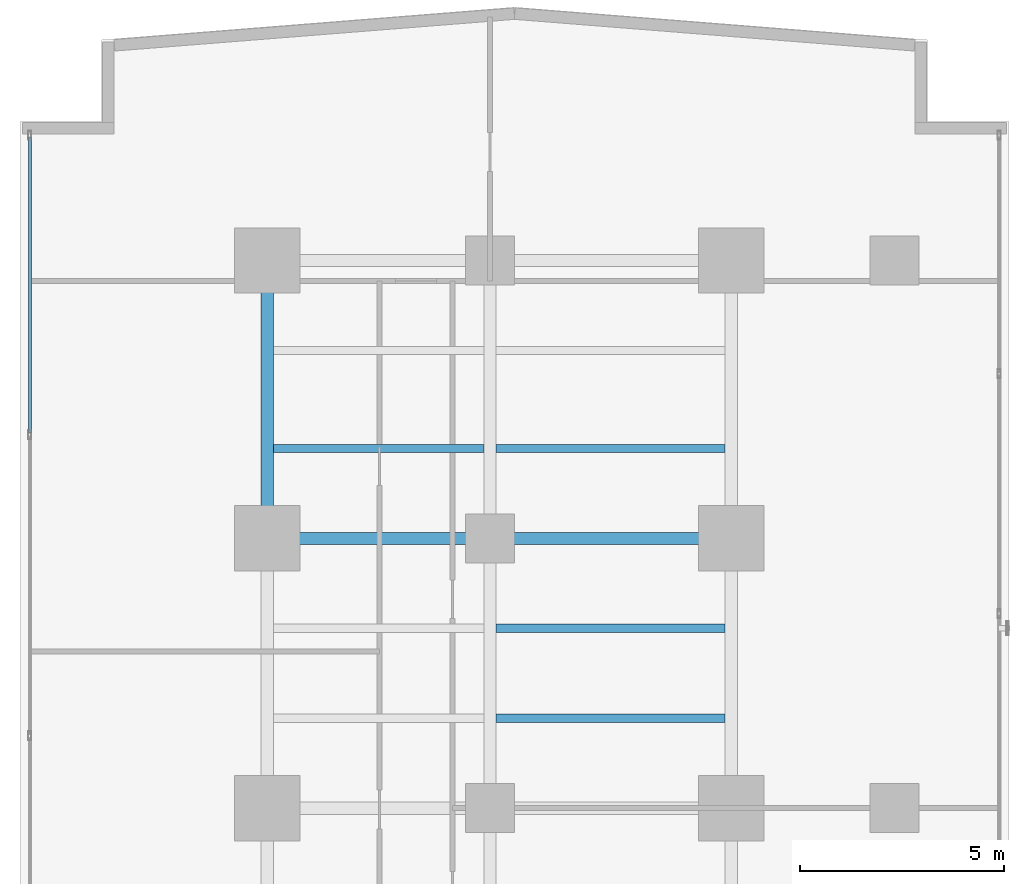
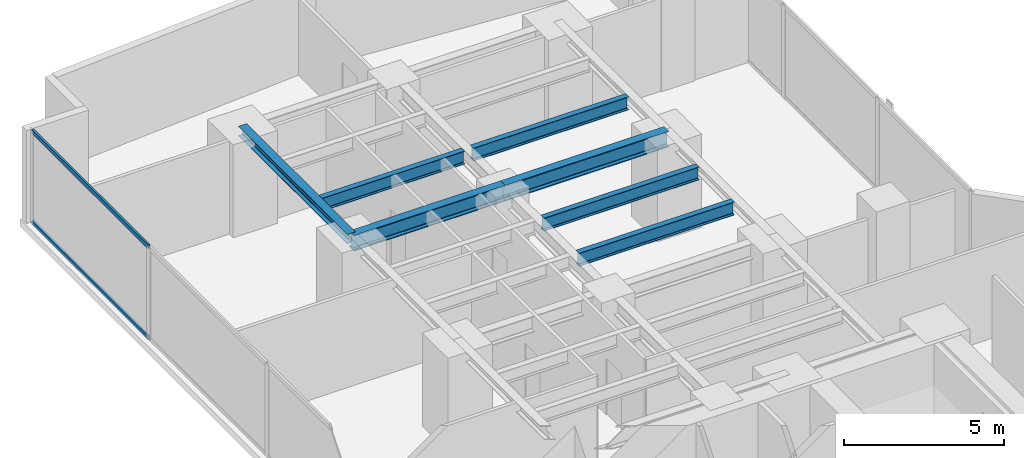
# One storey, part 16 of 29: 7 beams, 2 members, 1 element without a shape of its own.
"""IFC4 building model written with IfcOpenShell, lengths in metres."""

from ifc_helpers import new_model, si_unit, direction, frame, origin, origin_with_axes, origin_2d, place, context, subcontext, project, spatial, hollow_rectangle, i_section, extrude, source, transform, mapped, material, layer, layer_set, material_profile, profile_set, type_object, element, aggregate, save


model = new_model("IFC4")

# Units and contexts
model_context = context("Model", 3, precision=1e-05, world=origin(), true_north=direction((0.0, 1.0)))
body_context = subcontext(model_context, "Body", "Model", "MODEL_VIEW")
ifc_project = project(units=[si_unit("LENGTHUNIT", "METRE"), si_unit("AREAUNIT", "SQUARE_METRE"), si_unit("VOLUMEUNIT", "CUBIC_METRE"), si_unit("PLANEANGLEUNIT", "RADIAN"), si_unit("MASSUNIT", "GRAM", prefix="KILO")], contexts=[model_context])

# Site, building, storey
site_placement = place(None, origin())
site = spatial("IfcSite", under=ifc_project, at=site_placement, CompositionType="ELEMENT")
building_placement = place(site_placement, origin())
building = spatial("IfcBuilding", under=site, at=building_placement, Name="Kolvaren Waterfront Exchange", CompositionType="ELEMENT")
storey_placement = place(building_placement, frame((0.0, 0.0, 37.199951171875)))
storey = spatial("IfcBuildingStorey", under=building, at=storey_placement, Name="L09", CompositionType="ELEMENT", Elevation=37.199951171875)

# Beams
ifc_material_1 = material(Name="Steel S355", Category="steel")
ifc_material_profile_1 = material_profile(ifc_material_1, i_section(OverallWidth=0.300048828125, OverallDepth=0.360107421875, WebThickness=0.012451171875, FlangeThickness=0.0224609375, FilletRadius=0.027099609375, at=origin_2d()), Name="HEB360")
ifc_profile_set_1 = profile_set([ifc_material_profile_1], Name="Steel S355")
beam_type_1 = type_object("IfcBeamType", Name="STR-BM-HEB360", PredefinedType="SPANDREL", material=ifc_profile_set_1)
beam_1_placement = place(storey_placement, frame((7.449951171875, 37.800048828125, 3.360107421875), z_axis=(0.0, 1.0, 0.0), x_axis=(-1.0, 0.0, 0.0)))
element("IfcBeam", 1, at=beam_1_placement, inside=storey, type_object=beam_type_1, Name="L09 north-arm edge beam 3", PredefinedType="SPANDREL", context=body_context, shape_type="SweptSolid", body=[
    extrude(i_section(OverallWidth=0.300048828125, OverallDepth=0.360107421875, WebThickness=0.012451171875, FlangeThickness=0.0224609375, FilletRadius=0.027099609375, at=origin_2d()), origin(), (0.0, 0.0, 1.0), 6.800048828125),
])
ifc_material_profile_2 = material_profile(ifc_material_1, i_section(OverallWidth=0.300048828125, OverallDepth=0.60009765625, WebThickness=0.015380859375, FlangeThickness=0.030029296875, FilletRadius=0.027099609375, at=origin_2d()), Name="HEB600")
ifc_profile_set_2 = profile_set([ifc_material_profile_2], Name="Steel S355")
beam_type_2 = type_object("IfcBeamType", Name="STR-BM-HEB600", PredefinedType="BEAM", material=ifc_profile_set_2)
beam_2_placement = place(storey_placement, frame((7.449951171875, 37.800048828125, 3.239990234375), z_axis=(1.0, 0.0, 0.0), x_axis=(0.0, 1.0, 0.0)))
element("IfcBeam", 2, at=beam_2_placement, inside=storey, type_object=beam_type_2, Name="L09 north-arm girder 3A", PredefinedType="BEAM", context=body_context, shape_type="SweptSolid", body=[
    extrude(i_section(OverallWidth=0.300048828125, OverallDepth=0.60009765625, WebThickness=0.015380859375, FlangeThickness=0.030029296875, FilletRadius=0.027099609375, at=origin_2d()), origin(), (0.0, 0.0, 1.0), 5.449951171875),
])
beam_3_placement = place(storey_placement, frame((12.89990234375, 37.800048828125, 3.239990234375), z_axis=(1.0, 0.0, 0.0), x_axis=(0.0, 1.0, 0.0)))
element("IfcBeam", 3, at=beam_3_placement, inside=storey, type_object=beam_type_2, Name="L09 north-arm girder 3B", PredefinedType="BEAM", context=body_context, shape_type="SweptSolid", body=[
    extrude(i_section(OverallWidth=0.300048828125, OverallDepth=0.60009765625, WebThickness=0.015380859375, FlangeThickness=0.030029296875, FilletRadius=0.027099609375, at=origin_2d()), origin(), (0.0, 0.0, 1.0), 5.900146484375),
])
ifc_material_profile_3 = material_profile(ifc_material_1, i_section(OverallWidth=0.199951171875, OverallDepth=0.5, WebThickness=0.01025390625, FlangeThickness=0.01611328125, FilletRadius=0.02099609375, at=origin_2d()), Name="IPE500")
ifc_profile_set_3 = profile_set([ifc_material_profile_3], Name="Steel S355")
beam_type_3 = type_object("IfcBeamType", Name="STR-BM-IPE500", PredefinedType="JOIST", material=ifc_profile_set_3)
for number, where, z_axis, x_axis, name in (
    (4, (13.052001953125, 33.39990234375, 3.2900390625), (1.0, 0.0, 0.0), (0.0, 1.0, 0.0), "L09 north-arm composite joist 3B"),
    (5, (13.052001953125, 35.60009765625, 3.2900390625), (1.0, 0.0, 0.0), (0.0, 1.0, 0.0), "L09 north-arm composite joist 4B"),
):
    element("IfcBeam", number, at=place(storey_placement, frame(where, z_axis=z_axis, x_axis=x_axis)), inside=storey, type_object=beam_type_3, Name=name, PredefinedType="JOIST", context=body_context, shape_type="SweptSolid", body=[
        extrude(i_section(OverallWidth=0.199951171875, OverallDepth=0.5, WebThickness=0.01025390625, FlangeThickness=0.01611328125, FilletRadius=0.02099609375, at=origin_2d()), origin(), (0.0, 0.0, 1.0), 5.595947265625),
    ])
beam_4_placement = place(storey_placement, frame((7.60205078125, 40.0, 3.2900390625), z_axis=(1.0, 0.0, 0.0), x_axis=(0.0, 1.0, 0.0)))
element("IfcBeam", 6, at=beam_4_placement, inside=storey, type_object=beam_type_3, Name="L09 north-arm composite joist 5A", PredefinedType="JOIST", context=body_context, shape_type="SweptSolid", body=[
    extrude(i_section(OverallWidth=0.199951171875, OverallDepth=0.5, WebThickness=0.01025390625, FlangeThickness=0.01611328125, FilletRadius=0.02099609375, at=origin_2d()), origin(), (0.0, 0.0, 1.0), 5.14599609375),
])
beam_5_placement = place(storey_placement, frame((13.052001953125, 40.0, 3.2900390625), z_axis=(1.0, 0.0, 0.0), x_axis=(0.0, 1.0, 0.0)))
element("IfcBeam", 7, at=beam_5_placement, inside=storey, type_object=beam_type_3, Name="L09 north-arm composite joist 5B", PredefinedType="JOIST", context=body_context, shape_type="SweptSolid", body=[
    extrude(i_section(OverallWidth=0.199951171875, OverallDepth=0.5, WebThickness=0.01025390625, FlangeThickness=0.01611328125, FilletRadius=0.02099609375, at=origin_2d()), origin(), (0.0, 0.0, 1.0), 5.595947265625),
])

# Curtain wall, members
ifc_material_2 = material(Name="Anodised aluminium 6063-T6", Category="aluminium")
ifc_layer = layer(ifc_material_2, 0.219970703125, Name="Anodised aluminium 6063-T6")
ifc_layer_set = layer_set([ifc_layer], Name="Anodised aluminium 6063-T6")
curtain_wall_type = type_object("IfcCurtainWallType", Name="ARC-CW-SYS2", PredefinedType="USERDEFINED", material=ifc_layer_set)
curtain_wall_placement = place(storey_placement, origin())
curtain_wall = element("IfcCurtainWall", 8, at=curtain_wall_placement, inside=storey, type_object=curtain_wall_type, Name="L09 stick curtain wall CW2 (CW-L09-W)", ObjectType="STICK CURTAIN WALL", PredefinedType="USERDEFINED")
ifc_material_profile_4 = material_profile(ifc_material_2, hollow_rectangle(XDim=0.074951171875, YDim=0.159912109375, WallThickness=0.00439453125, at=origin_2d()), Name="ALU-TRN-160x75x4.5")
ifc_profile_set_4 = profile_set([ifc_material_profile_4], Name="Anodised aluminium 6063-T6")
member_type = type_object("IfcMemberType", Name="ARC-CWT-160", PredefinedType="USERDEFINED", material=ifc_profile_set_4)
shared_shape = source(origin_with_axes(), body_context, "Body", "SweptSolid", [
    extrude(hollow_rectangle(XDim=0.074951171875, YDim=0.159912109375, WallThickness=0.00439453125, at=origin_2d()), origin(), (0.0, 0.0, 1.0), 7.246826171875),
])
member_1_placement = place(storey_placement, frame((1.639892578125, 40.373291015625, 0.03759765625), z_axis=(0.0, 1.0, 0.0), x_axis=(-1.0, 0.0, 0.0)))
member_1 = element("IfcMember", 9, at=member_1_placement, type_object=member_type, Name="CW2 transom 6.1", ObjectType="TRANSOM", PredefinedType="USERDEFINED", context=body_context, shape_type="MappedRepresentation", body=[
    mapped(shared_shape, transform((0.0, 0.0, 0.0), x_axis=(1.0, 0.0, 0.0), y_axis=(0.0, 1.0, 0.0), z_axis=(0.0, 0.0, 1.0), scale=1.0)),
])
member_2_placement = place(storey_placement, frame((1.639892578125, 40.373291015625, 3.50244140625), z_axis=(0.0, 1.0, 0.0), x_axis=(-1.0, 0.0, 0.0)))
member_2 = element("IfcMember", 10, at=member_2_placement, type_object=member_type, Name="CW2 transom 6.2", ObjectType="TRANSOM", PredefinedType="USERDEFINED", context=body_context, shape_type="MappedRepresentation", body=[
    mapped(shared_shape, transform((0.0, 0.0, 0.0), x_axis=(1.0, 0.0, 0.0), y_axis=(0.0, 1.0, 0.0), z_axis=(0.0, 0.0, 1.0), scale=1.0)),
])
aggregate(curtain_wall, [member_1, member_2])

save(model, "model.ifc")
